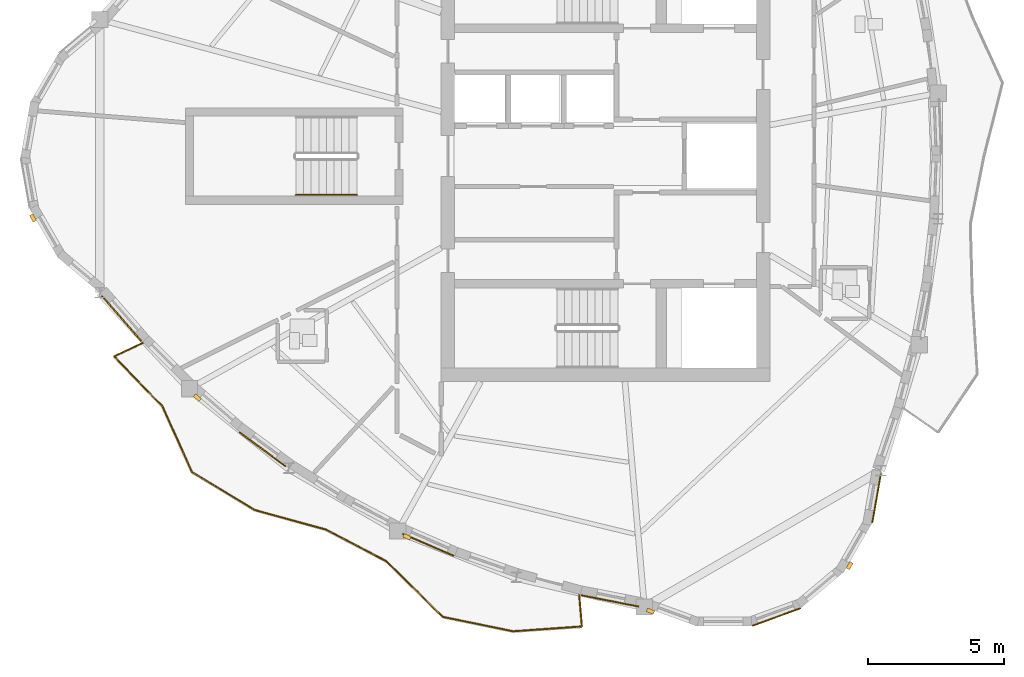
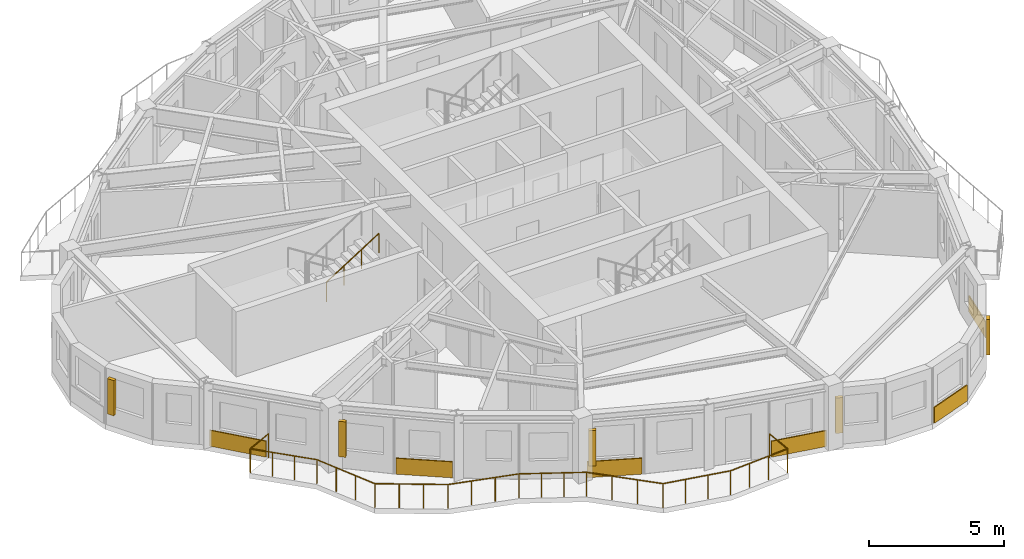
# One storey, part 9 of 12: 6 coverings, 5 shading devices, 2 railings.
"""IFC4 building model written with IfcOpenShell, lengths in metres."""

from ifc_helpers import new_model, si_unit, direction, frame, origin, origin_2d, place, context, subcontext, project, spatial, rectangle, circle, extrude, source, transform, mapped, material, layer, layer_set, type_object, element, save


model = new_model("IFC4")

# Units and contexts
model_context = context("Model", 3, precision=1e-05, world=origin(), true_north=direction((0.0, 1.0)))
body_context = subcontext(model_context, "Body", "Model", "MODEL_VIEW")
ifc_project = project(units=[si_unit("LENGTHUNIT", "METRE"), si_unit("AREAUNIT", "SQUARE_METRE"), si_unit("VOLUMEUNIT", "CUBIC_METRE"), si_unit("PLANEANGLEUNIT", "RADIAN"), si_unit("MASSUNIT", "GRAM", prefix="KILO")], contexts=[model_context])

# Site, building, storey
site_placement = place(None, origin())
site = spatial("IfcSite", under=ifc_project, at=site_placement, CompositionType="ELEMENT")
building_placement = place(site_placement, origin())
building = spatial("IfcBuilding", under=site, at=building_placement, Name="Qafzar Sky-Pleat Residences", CompositionType="ELEMENT")
storey_placement = place(building_placement, frame((0.0, 0.0, 202.0)))
storey = spatial("IfcBuildingStorey", under=building, at=storey_placement, Name="L60", CompositionType="ELEMENT", Elevation=202.0)

# Shading devices
ifc_material_1 = material(Name="Honed Riyadh limestone solar fin", Category="masonry")
ifc_layer_1 = layer(ifc_material_1, 0.139892578125)
ifc_layer_set_1 = layer_set([ifc_layer_1], Name="Honed Riyadh limestone solar fin")
shading_device_type = type_object("IfcShadingDeviceType", Name="SHD-FIN-STONE", PredefinedType="SHUTTER", material=ifc_layer_set_1)
shared_shape_1 = source(origin(), body_context, "Body", "SweptSolid", [
    extrude(rectangle(XDim=0.139892578125, YDim=0.280029296875, at=origin_2d()), origin(), (0.0, 0.0, 1.0), 1.60009765625),
])
for number, where, z_axis, x_axis, name in (
    (1, (9.28466796875, 23.72216796875, 0.599853515625), (0.0, 0.0, 1.0), (-0.86604422228, -0.499967403994, 0.0), "L60 Limestone Solar Fin 5"),
    (2, (15.3291015625, 17.113525390625, 0.599853515625), (0.0, 0.0, 1.0), (-0.652865714496, -0.757473668741, 0.0), "L60 Limestone Solar Fin 9"),
    (3, (23.043701171875, 11.990966796875, 0.599853515625), (0.0, 0.0, 1.0), (-0.398671159383, -0.917093946483, 0.0), "L60 Limestone Solar Fin 13"),
    (4, (32.003173828125, 9.256591796875, 0.599853515625), (0.0, 0.0, 1.0), (-0.342053959704, -0.939680311942, 0.0), "L60 Limestone Solar Fin 17"),
    (5, (39.330322265625, 10.930908203125, 0.599853515625), (0.0, 0.0, 1.0), (0.86604422228, -0.499967403994, 0.0), "L60 Limestone Solar Fin 21"),
):
    element("IfcShadingDevice", number, at=place(storey_placement, frame(where, z_axis=z_axis, x_axis=x_axis)), inside=storey, type_object=shading_device_type, Name=name, PredefinedType="SHUTTER", context=body_context, shape_type="MappedRepresentation", body=[
        mapped(shared_shape_1, transform((0.0, 0.0, 0.0), x_axis=(1.0, 0.0, 0.0), y_axis=(0.0, 1.0, 0.0), z_axis=(0.0, 0.0, 1.0), scale=1.0)),
    ])

# Coverings
ifc_material_2 = material(Name="Honed Riyadh Tuwaiq limestone cladding", Category="masonry")
ifc_layer_2 = layer(ifc_material_2, 0.044921875)
ifc_layer_set_2 = layer_set([ifc_layer_2], Name="Honed Riyadh Tuwaiq limestone cladding")
covering_type = type_object("IfcCoveringType", Name="COV-CLAD-STONE", PredefinedType="CLADDING", material=ifc_layer_set_2)
shared_shape_2 = source(origin(), body_context, "Body", "SweptSolid", [
    extrude(rectangle(XDim=1.88134765625, YDim=0.044921875, at=origin_2d()), origin(), (0.0, 0.0, 1.0), 0.719970703125),
])
covering_1_placement = place(storey_placement, frame((36.64111328125, 9.041748046875, 0.02001953125), z_axis=(0.0, 0.0, 1.0), x_axis=(0.939694209735, 0.342015777694, 0.0)))
element("IfcCovering", 6, at=covering_1_placement, inside=storey, type_object=covering_type, Name="L60 Riyadh Limestone Spandrel Cladding 19", PredefinedType="CLADDING", context=body_context, shape_type="MappedRepresentation", body=[
    mapped(shared_shape_2, transform((0.0, 0.0, 0.0), x_axis=(1.0, 0.0, 0.0), y_axis=(0.0, 1.0, 0.0), z_axis=(0.0, 0.0, 1.0), scale=1.0)),
])
shared_shape_3 = source(origin(), body_context, "Body", "SweptSolid", [
    extrude(rectangle(XDim=1.8291015625, YDim=0.044921875, at=origin_2d()), origin(), (0.0, 0.0, 1.0), 0.719970703125),
])
covering_2_placement = place(storey_placement, frame((40.32177734375, 13.40576171875, 0.02001953125), z_axis=(0.0, 0.0, 1.0), x_axis=(0.173695508338, 0.984799406165, 0.0)))
element("IfcCovering", 7, at=covering_2_placement, inside=storey, type_object=covering_type, Name="L60 Riyadh Limestone Spandrel Cladding 22", PredefinedType="CLADDING", context=body_context, shape_type="MappedRepresentation", body=[
    mapped(shared_shape_3, transform((0.0, 0.0, 0.0), x_axis=(1.0, 0.0, 0.0), y_axis=(0.0, 1.0, 0.0), z_axis=(0.0, 0.0, 1.0), scale=1.0)),
])

# Railing
ifc_material_3 = material(Name="Laminated glass and bronze steel balustrade", Category="steel")
railing_type_1 = type_object("IfcRailingType", Name="RAIL-BAL-1100", PredefinedType="BALUSTRADE", material=ifc_material_3)
shared_shape_4 = source(origin(), body_context, "Body", "SweptSolid", [
    extrude(circle(Radius=0.02392578125, at=origin_2d()), frame((0.0, 0.0, 1.076171875), z_axis=(-0.905536084906, -0.424269252873, 0.0), x_axis=(0.424269252873, -0.905536084906, 0.0)), (0.0, 0.0, 1.0), 1.177978515625),
    extrude(circle(Radius=0.02392578125, at=origin_2d()), frame((-1.066650390625, -0.499755859375, 1.076171875), z_axis=(0.69523722548, -0.718780356094, 0.0), x_axis=(0.718780356094, 0.69523722548, 0.0)), (0.0, 0.0, 1.0), 2.561279296875),
    extrude(circle(Radius=0.02392578125, at=origin_2d()), frame((0.714111328125, -2.3408203125, 1.076171875), z_axis=(0.409639012053, -0.912247707481, 0.0), x_axis=(0.912247707481, 0.409639012053, 0.0)), (0.0, 0.0, 1.0), 2.644287109375),
    extrude(circle(Radius=0.02392578125, at=origin_2d()), frame((1.79736328125, -4.753173828125, 1.076171875), z_axis=(0.855319046053, -0.518101659386, 0.0), x_axis=(0.518101659386, 0.855319046053, 0.0)), (0.0, 0.0, 1.0), 2.704833984375),
    extrude(circle(Radius=0.02392578125, at=origin_2d()), frame((4.11083984375, -6.154541015625, 1.076171875), z_axis=(0.964447609451, -0.264274116449, 0.0), x_axis=(0.264274116449, 0.964447609451, 0.0)), (0.0, 0.0, 1.0), 2.714111328125),
    extrude(circle(Radius=0.02392578125, at=origin_2d()), frame((6.728515625, -6.871826171875, 1.076171875), z_axis=(0.885758969061, -0.464145503832, 0.0), x_axis=(0.464145503832, 0.885758969061, 0.0)), (0.0, 0.0, 1.0), 2.502685546875),
    extrude(circle(Radius=0.02392578125, at=origin_2d()), frame((8.9453125, -8.033447265625, 1.076171875), z_axis=(0.71288863723, -0.701277256802, 0.0), x_axis=(0.701277256802, 0.71288863723, 0.0)), (0.0, 0.0, 1.0), 2.922607421875),
    extrude(circle(Radius=0.02392578125, at=origin_2d()), frame((11.02880859375, -10.0830078125, 1.076171875), z_axis=(0.9795526684, -0.201187896827, 0.0), x_axis=(0.201187896827, 0.9795526684, 0.0)), (0.0, 0.0, 1.0), 2.636962890625),
    extrude(circle(Radius=0.02392578125, at=origin_2d()), frame((13.61181640625, -10.613525390625, 1.076171875), z_axis=(0.997566397421, 0.069722899656, 0.0), x_axis=(-0.069722899656, 0.997566397421, 0.0)), (0.0, 0.0, 1.0), 2.53857421875),
    extrude(circle(Radius=0.02392578125, at=origin_2d()), frame((16.144287109375, -10.4365234375, 1.076171875), z_axis=(-0.085189498507, 0.996364767213, 0.0), x_axis=(-0.996364767213, -0.085189498507, 0.0)), (0.0, 0.0, 1.0), 1.177978515625),
    extrude(circle(Radius=0.02099609375, at=origin_2d()), origin(), (0.0, 0.0, 1.0), 1.052001953125),
    extrude(circle(Radius=0.02099609375, at=origin_2d()), frame((-1.066650390625, -0.499755859375, 0.0)), (0.0, 0.0, 1.0), 1.052001953125),
    extrude(circle(Radius=0.02099609375, at=origin_2d()), frame((-0.47314453125, -1.113525390625, 0.0)), (0.0, 0.0, 1.0), 1.052001953125),
    extrude(circle(Radius=0.02099609375, at=origin_2d()), frame((0.12060546875, -1.72705078125, 0.0)), (0.0, 0.0, 1.0), 1.052001953125),
    extrude(circle(Radius=0.02099609375, at=origin_2d()), frame((0.714111328125, -2.3408203125, 0.0)), (0.0, 0.0, 1.0), 1.052001953125),
    extrude(circle(Radius=0.02099609375, at=origin_2d()), frame((1.0751953125, -3.14501953125, 0.0)), (0.0, 0.0, 1.0), 1.052001953125),
    extrude(circle(Radius=0.02099609375, at=origin_2d()), frame((1.436279296875, -3.948974609375, 0.0)), (0.0, 0.0, 1.0), 1.052001953125),
    extrude(circle(Radius=0.02099609375, at=origin_2d()), frame((1.79736328125, -4.753173828125, 0.0)), (0.0, 0.0, 1.0), 1.052001953125),
    extrude(circle(Radius=0.02099609375, at=origin_2d()), frame((2.568603515625, -5.22021484375, 0.0)), (0.0, 0.0, 1.0), 1.052001953125),
    extrude(circle(Radius=0.02099609375, at=origin_2d()), frame((3.339599609375, -5.6875, 0.0)), (0.0, 0.0, 1.0), 1.052001953125),
    extrude(circle(Radius=0.02099609375, at=origin_2d()), frame((4.11083984375, -6.154541015625, 0.0)), (0.0, 0.0, 1.0), 1.052001953125),
    extrude(circle(Radius=0.02099609375, at=origin_2d()), frame((4.9833984375, -6.3935546875, 0.0)), (0.0, 0.0, 1.0), 1.052001953125),
    extrude(circle(Radius=0.02099609375, at=origin_2d()), frame((5.85595703125, -6.6328125, 0.0)), (0.0, 0.0, 1.0), 1.052001953125),
    extrude(circle(Radius=0.02099609375, at=origin_2d()), frame((6.728515625, -6.871826171875, 0.0)), (0.0, 0.0, 1.0), 1.052001953125),
    extrude(circle(Radius=0.02099609375, at=origin_2d()), frame((7.467529296875, -7.259033203125, 0.0)), (0.0, 0.0, 1.0), 1.052001953125),
    extrude(circle(Radius=0.02099609375, at=origin_2d()), frame((8.206298828125, -7.646240234375, 0.0)), (0.0, 0.0, 1.0), 1.052001953125),
    extrude(circle(Radius=0.02099609375, at=origin_2d()), frame((8.9453125, -8.033447265625, 0.0)), (0.0, 0.0, 1.0), 1.052001953125),
    extrude(circle(Radius=0.02099609375, at=origin_2d()), frame((9.639892578125, -8.716552734375, 0.0)), (0.0, 0.0, 1.0), 1.052001953125),
    extrude(circle(Radius=0.02099609375, at=origin_2d()), frame((10.334228515625, -9.39990234375, 0.0)), (0.0, 0.0, 1.0), 1.052001953125),
    extrude(circle(Radius=0.02099609375, at=origin_2d()), frame((11.02880859375, -10.0830078125, 0.0)), (0.0, 0.0, 1.0), 1.052001953125),
    extrude(circle(Radius=0.02099609375, at=origin_2d()), frame((11.889892578125, -10.259765625, 0.0)), (0.0, 0.0, 1.0), 1.052001953125),
    extrude(circle(Radius=0.02099609375, at=origin_2d()), frame((12.750732421875, -10.436767578125, 0.0)), (0.0, 0.0, 1.0), 1.052001953125),
    extrude(circle(Radius=0.02099609375, at=origin_2d()), frame((13.61181640625, -10.613525390625, 0.0)), (0.0, 0.0, 1.0), 1.052001953125),
    extrude(circle(Radius=0.02099609375, at=origin_2d()), frame((14.4560546875, -10.554443359375, 0.0)), (0.0, 0.0, 1.0), 1.052001953125),
    extrude(circle(Radius=0.02099609375, at=origin_2d()), frame((15.300048828125, -10.49560546875, 0.0)), (0.0, 0.0, 1.0), 1.052001953125),
    extrude(circle(Radius=0.02099609375, at=origin_2d()), frame((16.144287109375, -10.4365234375, 0.0)), (0.0, 0.0, 1.0), 1.052001953125),
    extrude(circle(Radius=0.02099609375, at=origin_2d()), frame((16.0439453125, -9.262939453125, 0.0)), (0.0, 0.0, 1.0), 1.052001953125),
])
railing_1_placement = place(storey_placement, frame((13.33740234375, 19.129638671875, 0.0)))
element("IfcRailing", 8, at=railing_1_placement, inside=storey, type_object=railing_type_1, Name="L60 Pleated Balcony 3 Balustrade", PredefinedType="BALUSTRADE", context=body_context, shape_type="MappedRepresentation", body=[
    mapped(shared_shape_4, transform((0.0, 0.0, 0.0), x_axis=(1.0, 0.0, 0.0), y_axis=(0.0, 1.0, 0.0), z_axis=(0.0, 0.0, 1.0), scale=1.0)),
])

# Coverings
shared_shape_5 = source(origin(), body_context, "Body", "SweptSolid", [
    extrude(rectangle(XDim=2.21728515625, YDim=0.044921875, at=origin_2d()), origin(), (0.0, 0.0, 1.0), 0.719970703125),
])
covering_3_placement = place(storey_placement, frame((12.546630859375, 20.01953125, 0.02001953125), z_axis=(0.0, 0.0, 1.0), x_axis=(0.65760755629, -0.753360671863, 0.0)))
element("IfcCovering", 9, at=covering_3_placement, inside=storey, type_object=covering_type, Name="L60 Riyadh Limestone Spandrel Cladding 7", PredefinedType="CLADDING", context=body_context, shape_type="MappedRepresentation", body=[
    mapped(shared_shape_5, transform((0.0, 0.0, 0.0), x_axis=(1.0, 0.0, 0.0), y_axis=(0.0, 1.0, 0.0), z_axis=(0.0, 0.0, 1.0), scale=1.0)),
])
shared_shape_6 = source(origin(), body_context, "Body", "SweptSolid", [
    extrude(rectangle(XDim=2.04931640625, YDim=0.044921875, at=origin_2d()), origin(), (0.0, 0.0, 1.0), 0.719970703125),
])
covering_4_placement = place(storey_placement, frame((23.82666015625, 11.697509765625, 0.02001953125), z_axis=(0.0, 0.0, 1.0), x_axis=(0.917088208858, -0.398684357824, 0.0)))
element("IfcCovering", 10, at=covering_4_placement, inside=storey, type_object=covering_type, Name="L60 Riyadh Limestone Spandrel Cladding 13", PredefinedType="CLADDING", context=body_context, shape_type="MappedRepresentation", body=[
    mapped(shared_shape_6, transform((0.0, 0.0, 0.0), x_axis=(1.0, 0.0, 0.0), y_axis=(0.0, 1.0, 0.0), z_axis=(0.0, 0.0, 1.0), scale=1.0)),
])
shared_shape_7 = source(origin(), body_context, "Body", "SweptSolid", [
    extrude(rectangle(XDim=2.154296875, YDim=0.044921875, at=origin_2d()), origin(), (0.0, 0.0, 1.0), 0.719970703125),
])
covering_5_placement = place(storey_placement, frame((30.51318359375, 9.633544921875, 0.02001953125), z_axis=(0.0, 0.0, 1.0), x_axis=(0.981235554426, -0.192812828229, 0.0)))
element("IfcCovering", 11, at=covering_5_placement, inside=storey, type_object=covering_type, Name="L60 Riyadh Limestone Spandrel Cladding 16", PredefinedType="CLADDING", context=body_context, shape_type="MappedRepresentation", body=[
    mapped(shared_shape_7, transform((0.0, 0.0, 0.0), x_axis=(1.0, 0.0, 0.0), y_axis=(0.0, 1.0, 0.0), z_axis=(0.0, 0.0, 1.0), scale=1.0)),
])
shared_shape_8 = source(origin(), body_context, "Body", "SweptSolid", [
    extrude(rectangle(XDim=2.1123046875, YDim=0.044921875, at=origin_2d()), origin(), (0.0, 0.0, 1.0), 0.719970703125),
])
covering_6_placement = place(storey_placement, frame((17.728271484375, 15.213623046875, 0.02001953125), z_axis=(0.0, 0.0, 1.0), x_axis=(0.803838639455, -0.59484741045, 0.0)))
element("IfcCovering", 12, at=covering_6_placement, inside=storey, type_object=covering_type, Name="L60 Riyadh Limestone Spandrel Cladding 10", PredefinedType="CLADDING", context=body_context, shape_type="MappedRepresentation", body=[
    mapped(shared_shape_8, transform((0.0, 0.0, 0.0), x_axis=(1.0, 0.0, 0.0), y_axis=(0.0, 1.0, 0.0), z_axis=(0.0, 0.0, 1.0), scale=1.0)),
])

# Railing
ifc_material_4 = material(Name="Brushed stainless steel handrail", Category="steel")
railing_type_2 = type_object("IfcRailingType", Name="RAIL-STAIR-HAND", PredefinedType="HANDRAIL", material=ifc_material_4)
shared_shape_9 = source(origin(), body_context, "Body", "SweptSolid", [
    extrude(circle(Radius=0.02392578125, at=origin_2d()), frame((0.0, 0.0, 0.8759765625), z_axis=(0.8442293374, 0.0, 0.53598211339), x_axis=(0.0, 1.0, 0.0)), (0.0, 0.0, 1.0), 2.6533203125),
    extrude(circle(Radius=0.02099609375, at=origin_2d()), origin(), (0.0, 0.0, 1.0), 0.851806640625),
    extrude(circle(Radius=0.02099609375, at=origin_2d()), frame((0.74658203125, 0.0, 0.47412109375)), (0.0, 0.0, 1.0), 0.851806640625),
    extrude(circle(Radius=0.02099609375, at=origin_2d()), frame((1.493408203125, 0.0, 0.947998046875)), (0.0, 0.0, 1.0), 0.851806640625),
    extrude(circle(Radius=0.02099609375, at=origin_2d()), frame((2.239990234375, 0.0, 1.422119140625)), (0.0, 0.0, 1.0), 0.851806640625),
])
railing_2_placement = place(storey_placement, frame((18.9599609375, 24.574951171875, 1.77783203125)))
element("IfcRailing", 13, at=railing_2_placement, inside=storey, type_object=railing_type_2, Name="L60 ST3 stair handrail 2", PredefinedType="HANDRAIL", context=body_context, shape_type="MappedRepresentation", body=[
    mapped(shared_shape_9, transform((0.0, 0.0, 0.0), x_axis=(1.0, 0.0, 0.0), y_axis=(0.0, 1.0, 0.0), z_axis=(0.0, 0.0, 1.0), scale=1.0)),
])

save(model, "model.ifc")
